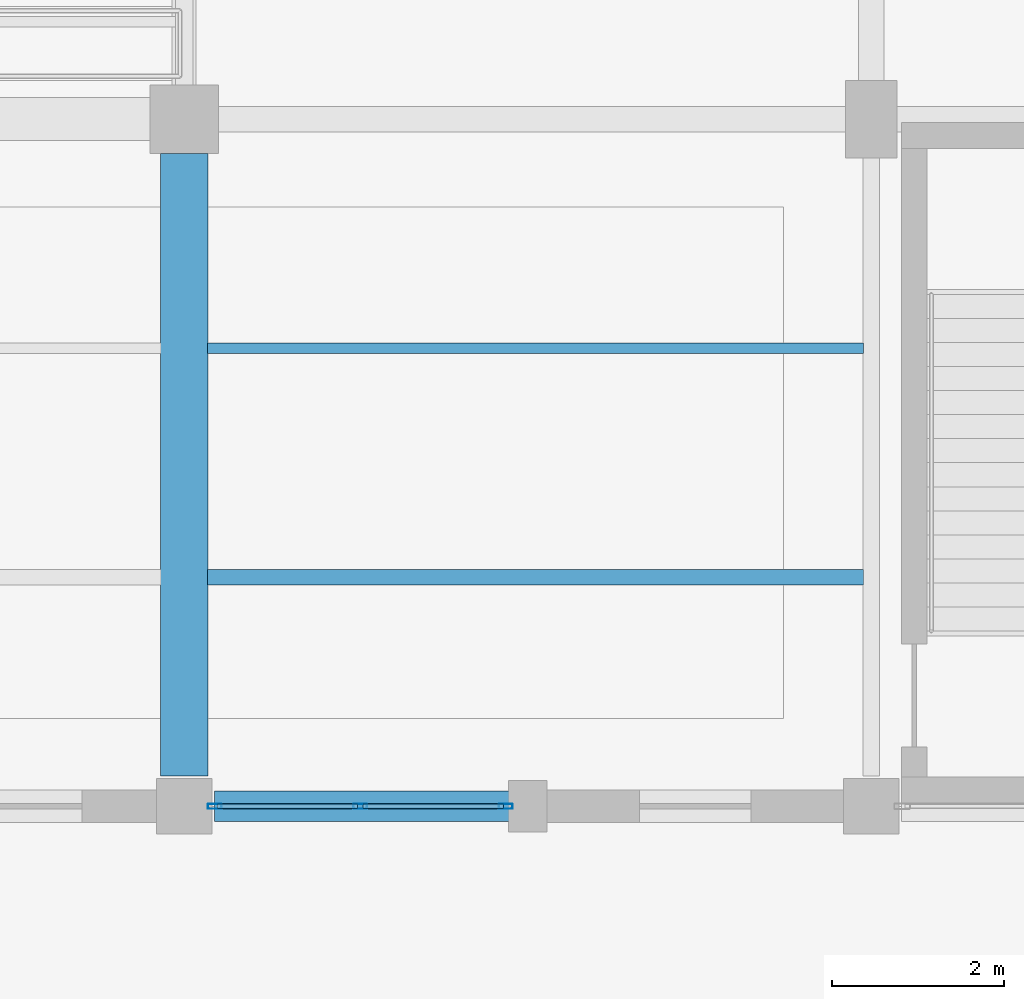
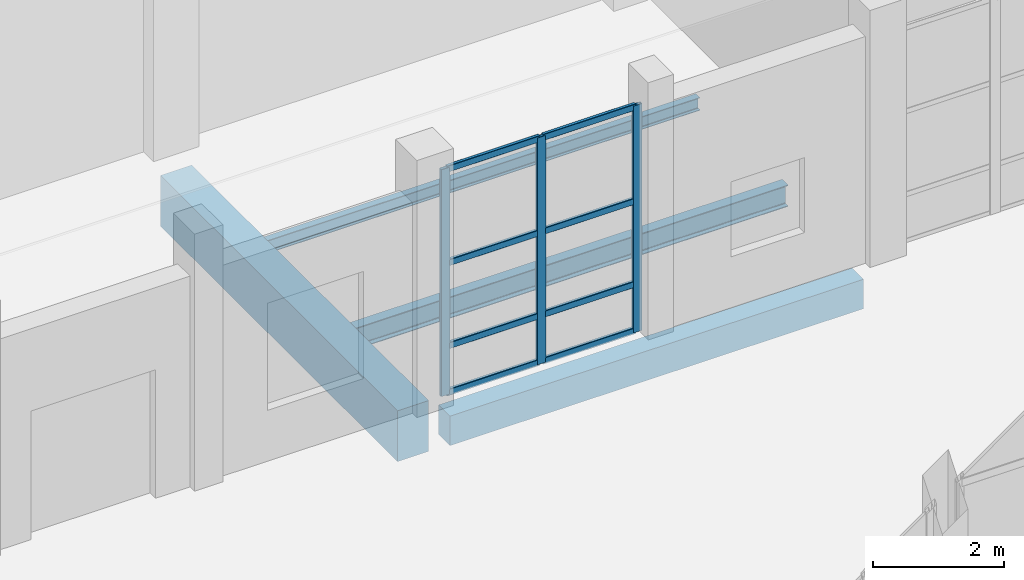
# One storey, part 76 of 156: 11 members, 4 beams, 1 element without a shape of its own.
"""IFC4 building model written with IfcOpenShell, lengths in metres."""

from ifc_helpers import new_model, si_unit, direction, frame, origin, origin_2d, place, context, subcontext, project, spatial, rectangle, hollow_rectangle, i_section, extrude, material, material_profile, profile_set, type_object, element, aggregate, save


model = new_model("IFC4")

# Units and contexts
model_context = context("Model", 3, precision=1e-05, world=origin(), true_north=direction((0.0, 1.0)))
body_context = subcontext(model_context, "Body", "Model", "MODEL_VIEW")
ifc_project = project(units=[si_unit("LENGTHUNIT", "METRE"), si_unit("AREAUNIT", "SQUARE_METRE"), si_unit("VOLUMEUNIT", "CUBIC_METRE"), si_unit("PLANEANGLEUNIT", "RADIAN"), si_unit("MASSUNIT", "GRAM", prefix="KILO")], contexts=[model_context])

# Site, building, storey
site_placement = place(None, origin())
site = spatial("IfcSite", under=ifc_project, at=site_placement, CompositionType="ELEMENT")
building_placement = place(site_placement, origin())
building = spatial("IfcBuilding", under=site, at=building_placement, Name="Luwemba Playhouse", CompositionType="ELEMENT")
storey_placement = place(building_placement, origin())
storey = spatial("IfcBuildingStorey", under=building, at=storey_placement, Name="L00", CompositionType="ELEMENT", Elevation=0.0)

# Beams
ifc_material_1 = material(Name="Concrete C40/50", Category="concrete")
ifc_material_profile_1 = material_profile(ifc_material_1, rectangle(XDim=0.550048828125, YDim=0.949951171875, at=origin_2d()))
ifc_profile_set_1 = profile_set([ifc_material_profile_1], Name="Concrete C40/50")
beam_type_1 = type_object("IfcBeamType", Name="BM-RB08", PredefinedType="BEAM", material=ifc_profile_set_1)
beam_1_placement = place(storey_placement, frame((156.0, 36.35009765625, -0.77490234375), z_axis=(0.0, 1.0, 0.0), x_axis=(-1.0, 0.0, 0.0)))
element("IfcBeam", 1, at=beam_1_placement, inside=storey, type_object=beam_type_1, Name="L00 transverse girder 0103", PredefinedType="BEAM", context=body_context, shape_type="SweptSolid", body=[
    extrude(rectangle(XDim=0.550048828125, YDim=0.949951171875, at=origin_2d()), origin(), (0.0, 0.0, 1.0), 7.25),
])
ifc_material_2 = material(Name="Steel S355", Category="steel")
ifc_material_profile_2 = material_profile(ifc_material_2, i_section(OverallWidth=0.1201171875, OverallDepth=0.239990234375, WebThickness=0.006103515625, FlangeThickness=0.009765625, FilletRadius=0.014892578125, at=origin_2d()))
ifc_profile_set_2 = profile_set([ifc_material_profile_2], Name="Steel S355")
beam_type_2 = type_object("IfcBeamType", Name="BM-SJ03", PredefinedType="JOIST", material=ifc_profile_set_2)
beam_2_placement = place(storey_placement, frame((156.27099609375, 41.333251953125, -0.419921875), z_axis=(1.0, 0.0, 0.0), x_axis=(0.0, 1.0, 0.0)))
element("IfcBeam", 2, at=beam_2_placement, inside=storey, type_object=beam_type_2, Name="L00 composite floor joist 0089", PredefinedType="JOIST", context=body_context, shape_type="SweptSolid", body=[
    extrude(i_section(OverallWidth=0.1201171875, OverallDepth=0.239990234375, WebThickness=0.006103515625, FlangeThickness=0.009765625, FilletRadius=0.014892578125, at=origin_2d()), origin(), (0.0, 0.0, 1.0), 7.637939453125),
])
ifc_material_profile_3 = material_profile(ifc_material_2, i_section(OverallWidth=0.179931640625, OverallDepth=0.39990234375, WebThickness=0.008544921875, FlangeThickness=0.013427734375, FilletRadius=0.02099609375, at=origin_2d()))
ifc_profile_set_3 = profile_set([ifc_material_profile_3], Name="Steel S355")
beam_type_3 = type_object("IfcBeamType", Name="BM-SJ08", PredefinedType="JOIST", material=ifc_profile_set_3)
beam_3_placement = place(storey_placement, frame((156.27099609375, 38.666748046875, -0.5), z_axis=(1.0, 0.0, 0.0), x_axis=(0.0, 1.0, 0.0)))
element("IfcBeam", 3, at=beam_3_placement, inside=storey, type_object=beam_type_3, Name="L00 composite floor joist 0088", PredefinedType="JOIST", context=body_context, shape_type="SweptSolid", body=[
    extrude(i_section(OverallWidth=0.179931640625, OverallDepth=0.39990234375, WebThickness=0.008544921875, FlangeThickness=0.013427734375, FilletRadius=0.02099609375, at=origin_2d()), origin(), (0.0, 0.0, 1.0), 7.637939453125),
])
ifc_material_profile_4 = material_profile(ifc_material_1, rectangle(XDim=0.35009765625, YDim=0.550048828125, at=origin_2d()))
ifc_profile_set_4 = profile_set([ifc_material_profile_4], Name="Concrete C40/50")
beam_type_4 = type_object("IfcBeamType", Name="BM-SP2", PredefinedType="SPANDREL", material=ifc_profile_set_4)
beam_4_placement = place(storey_placement, frame((156.35009765625, 36.0, -0.574951171875), z_axis=(1.0, 0.0, 0.0), x_axis=(0.0, 1.0, 0.0)))
element("IfcBeam", 4, at=beam_4_placement, inside=storey, type_object=beam_type_4, Name="L00 grid girder 0077", PredefinedType="SPANDREL", context=body_context, shape_type="SweptSolid", body=[
    extrude(rectangle(XDim=0.35009765625, YDim=0.550048828125, at=origin_2d()), origin(), (0.0, 0.0, 1.0), 7.2998046875),
])

# Curtain wall, members
ifc_material_3 = material(Name="Solar-control double glazing", Category="glass")
curtain_wall_type = type_object("IfcCurtainWallType", Name="CW-CW15", PredefinedType="USERDEFINED", material=ifc_material_3)
curtain_wall_placement = place(storey_placement, origin())
curtain_wall = element("IfcCurtainWall", 5, at=curtain_wall_placement, inside=storey, type_object=curtain_wall_type, Name="L00 V3 unitised curtain wall 015", ObjectType="UNITISED GLAZING", PredefinedType="USERDEFINED")
ifc_material_4 = material(Name="Aluminium 6063-T6", Category="aluminium")
ifc_material_profile_5 = material_profile(ifc_material_4, hollow_rectangle(XDim=0.06005859375, YDim=0.159912109375, WallThickness=0.00390625, InnerFilletRadius=0.006103515625, OuterFilletRadius=0.010009765625, at=origin_2d()))
ifc_profile_set_5 = profile_set([ifc_material_profile_5], Name="Aluminium 6063-T6")
member_type_1 = type_object("IfcMemberType", Name="CWM-M1", PredefinedType="MULLION", material=ifc_profile_set_5)
member_1_placement = place(storey_placement, frame((159.7451171875, 36.0, 0.0), z_axis=(0.0, 0.0, 1.0), x_axis=(0.0, -1.0, 0.0)))
member_1 = element("IfcMember", 6, at=member_1_placement, type_object=member_type_1, Name="CW15 mullion 1", PredefinedType="MULLION", context=body_context, shape_type="SweptSolid", body=[
    extrude(hollow_rectangle(XDim=0.06005859375, YDim=0.159912109375, WallThickness=0.00390625, InnerFilletRadius=0.006103515625, OuterFilletRadius=0.010009765625, at=origin_2d()), origin(), (0.0, 0.0, 1.0), 4.235107421875),
])
member_2_placement = place(storey_placement, frame((158.050048828125, 36.0, 0.0), z_axis=(0.0, 0.0, 1.0), x_axis=(0.0, -1.0, 0.0)))
member_2 = element("IfcMember", 7, at=member_2_placement, type_object=member_type_1, Name="CW15 mullion 2", PredefinedType="MULLION", context=body_context, shape_type="SweptSolid", body=[
    extrude(hollow_rectangle(XDim=0.06005859375, YDim=0.159912109375, WallThickness=0.00390625, InnerFilletRadius=0.006103515625, OuterFilletRadius=0.010009765625, at=origin_2d()), origin(), (0.0, 0.0, 1.0), 4.235107421875),
])
member_3_placement = place(storey_placement, frame((156.35498046875, 36.0, 0.0), z_axis=(0.0, 0.0, 1.0), x_axis=(0.0, -1.0, 0.0)))
member_3 = element("IfcMember", 8, at=member_3_placement, type_object=member_type_1, Name="CW15 mullion 3", PredefinedType="MULLION", context=body_context, shape_type="SweptSolid", body=[
    extrude(hollow_rectangle(XDim=0.06005859375, YDim=0.159912109375, WallThickness=0.00390625, InnerFilletRadius=0.006103515625, OuterFilletRadius=0.010009765625, at=origin_2d()), origin(), (0.0, 0.0, 1.0), 4.235107421875),
])
ifc_material_profile_6 = material_profile(ifc_material_4, hollow_rectangle(XDim=0.06005859375, YDim=0.1201171875, WallThickness=0.00390625, InnerFilletRadius=0.006103515625, OuterFilletRadius=0.010009765625, at=origin_2d()))
ifc_profile_set_6 = profile_set([ifc_material_profile_6], Name="Aluminium 6063-T6")
member_type_2 = type_object("IfcMemberType", Name="CWT-T1", PredefinedType="USERDEFINED", material=ifc_profile_set_6)
member_4_placement = place(storey_placement, frame((159.715087890625, 36.0, 0.030029296875), z_axis=(-1.0, 0.0, 0.0), x_axis=(0.0, -1.0, 0.0)))
member_4 = element("IfcMember", 9, at=member_4_placement, type_object=member_type_2, Name="CW15 transom 1.1", ObjectType="TRANSOM", PredefinedType="USERDEFINED", context=body_context, shape_type="SweptSolid", body=[
    extrude(hollow_rectangle(XDim=0.06005859375, YDim=0.1201171875, WallThickness=0.00390625, InnerFilletRadius=0.006103515625, OuterFilletRadius=0.010009765625, at=origin_2d()), origin(), (0.0, 0.0, 1.0), 1.635009765625),
])
member_5_placement = place(storey_placement, frame((159.715087890625, 36.0, 0.89990234375), z_axis=(-1.0, 0.0, 0.0), x_axis=(0.0, -1.0, 0.0)))
member_5 = element("IfcMember", 10, at=member_5_placement, type_object=member_type_2, Name="CW15 transom 1.2", ObjectType="TRANSOM", PredefinedType="USERDEFINED", context=body_context, shape_type="SweptSolid", body=[
    extrude(hollow_rectangle(XDim=0.06005859375, YDim=0.1201171875, WallThickness=0.00390625, InnerFilletRadius=0.006103515625, OuterFilletRadius=0.010009765625, at=origin_2d()), origin(), (0.0, 0.0, 1.0), 1.635009765625),
])
member_6_placement = place(storey_placement, frame((159.715087890625, 36.0, 2.449951171875), z_axis=(-1.0, 0.0, 0.0), x_axis=(0.0, -1.0, 0.0)))
member_6 = element("IfcMember", 11, at=member_6_placement, type_object=member_type_2, Name="CW15 transom 1.3", ObjectType="TRANSOM", PredefinedType="USERDEFINED", context=body_context, shape_type="SweptSolid", body=[
    extrude(hollow_rectangle(XDim=0.06005859375, YDim=0.1201171875, WallThickness=0.00390625, InnerFilletRadius=0.006103515625, OuterFilletRadius=0.010009765625, at=origin_2d()), origin(), (0.0, 0.0, 1.0), 1.635009765625),
])
member_7_placement = place(storey_placement, frame((159.715087890625, 36.0, 4.205078125), z_axis=(-1.0, 0.0, 0.0), x_axis=(0.0, -1.0, 0.0)))
member_7 = element("IfcMember", 12, at=member_7_placement, type_object=member_type_2, Name="CW15 transom 1.4", ObjectType="TRANSOM", PredefinedType="USERDEFINED", context=body_context, shape_type="SweptSolid", body=[
    extrude(hollow_rectangle(XDim=0.06005859375, YDim=0.1201171875, WallThickness=0.00390625, InnerFilletRadius=0.006103515625, OuterFilletRadius=0.010009765625, at=origin_2d()), origin(), (0.0, 0.0, 1.0), 1.635009765625),
])
member_8_placement = place(storey_placement, frame((158.02001953125, 36.0, 0.030029296875), z_axis=(-1.0, 0.0, 0.0), x_axis=(0.0, -1.0, 0.0)))
member_8 = element("IfcMember", 13, at=member_8_placement, type_object=member_type_2, Name="CW15 transom 2.1", ObjectType="TRANSOM", PredefinedType="USERDEFINED", context=body_context, shape_type="SweptSolid", body=[
    extrude(hollow_rectangle(XDim=0.06005859375, YDim=0.1201171875, WallThickness=0.00390625, InnerFilletRadius=0.006103515625, OuterFilletRadius=0.010009765625, at=origin_2d()), origin(), (0.0, 0.0, 1.0), 1.635009765625),
])
member_9_placement = place(storey_placement, frame((158.02001953125, 36.0, 0.89990234375), z_axis=(-1.0, 0.0, 0.0), x_axis=(0.0, -1.0, 0.0)))
member_9 = element("IfcMember", 14, at=member_9_placement, type_object=member_type_2, Name="CW15 transom 2.2", ObjectType="TRANSOM", PredefinedType="USERDEFINED", context=body_context, shape_type="SweptSolid", body=[
    extrude(hollow_rectangle(XDim=0.06005859375, YDim=0.1201171875, WallThickness=0.00390625, InnerFilletRadius=0.006103515625, OuterFilletRadius=0.010009765625, at=origin_2d()), origin(), (0.0, 0.0, 1.0), 1.635009765625),
])
member_10_placement = place(storey_placement, frame((158.02001953125, 36.0, 2.449951171875), z_axis=(-1.0, 0.0, 0.0), x_axis=(0.0, -1.0, 0.0)))
member_10 = element("IfcMember", 15, at=member_10_placement, type_object=member_type_2, Name="CW15 transom 2.3", ObjectType="TRANSOM", PredefinedType="USERDEFINED", context=body_context, shape_type="SweptSolid", body=[
    extrude(hollow_rectangle(XDim=0.06005859375, YDim=0.1201171875, WallThickness=0.00390625, InnerFilletRadius=0.006103515625, OuterFilletRadius=0.010009765625, at=origin_2d()), origin(), (0.0, 0.0, 1.0), 1.635009765625),
])
member_11_placement = place(storey_placement, frame((158.02001953125, 36.0, 4.205078125), z_axis=(-1.0, 0.0, 0.0), x_axis=(0.0, -1.0, 0.0)))
member_11 = element("IfcMember", 16, at=member_11_placement, type_object=member_type_2, Name="CW15 transom 2.4", ObjectType="TRANSOM", PredefinedType="USERDEFINED", context=body_context, shape_type="SweptSolid", body=[
    extrude(hollow_rectangle(XDim=0.06005859375, YDim=0.1201171875, WallThickness=0.00390625, InnerFilletRadius=0.006103515625, OuterFilletRadius=0.010009765625, at=origin_2d()), origin(), (0.0, 0.0, 1.0), 1.635009765625),
])
aggregate(curtain_wall, [member_1, member_2, member_3, member_4, member_5, member_6, member_7, member_8, member_9, member_10, member_11])

save(model, "model.ifc")
